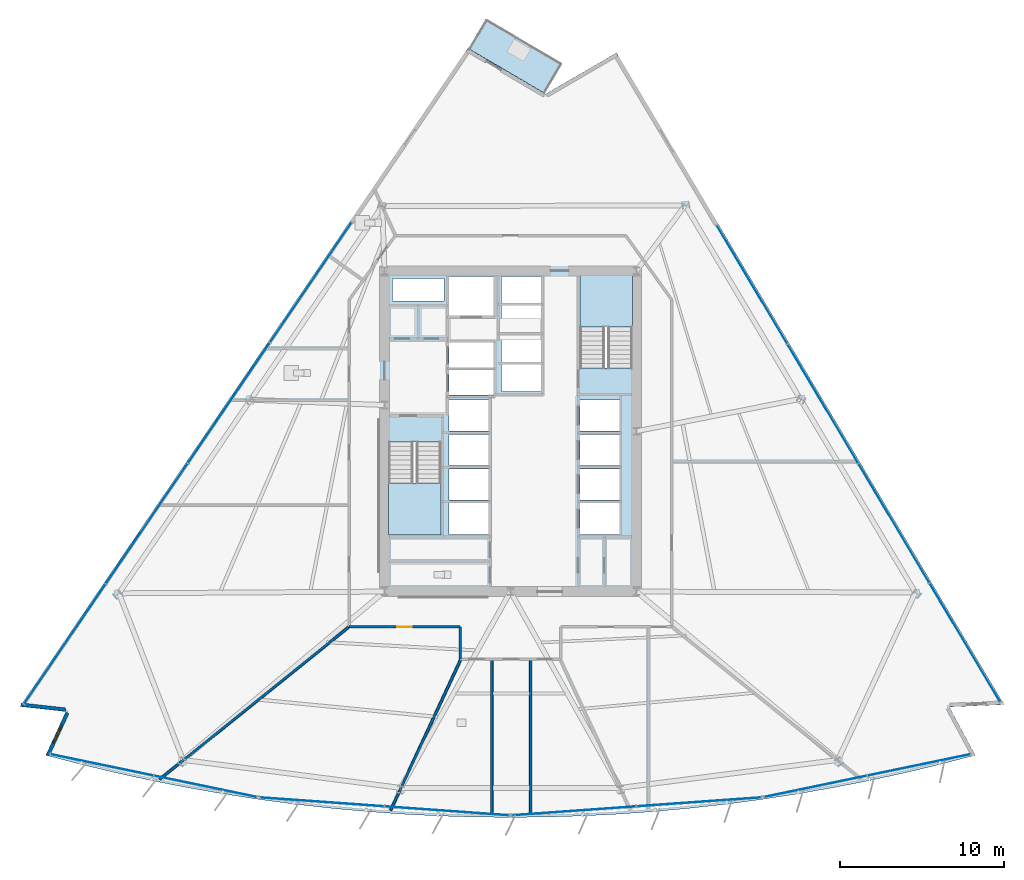
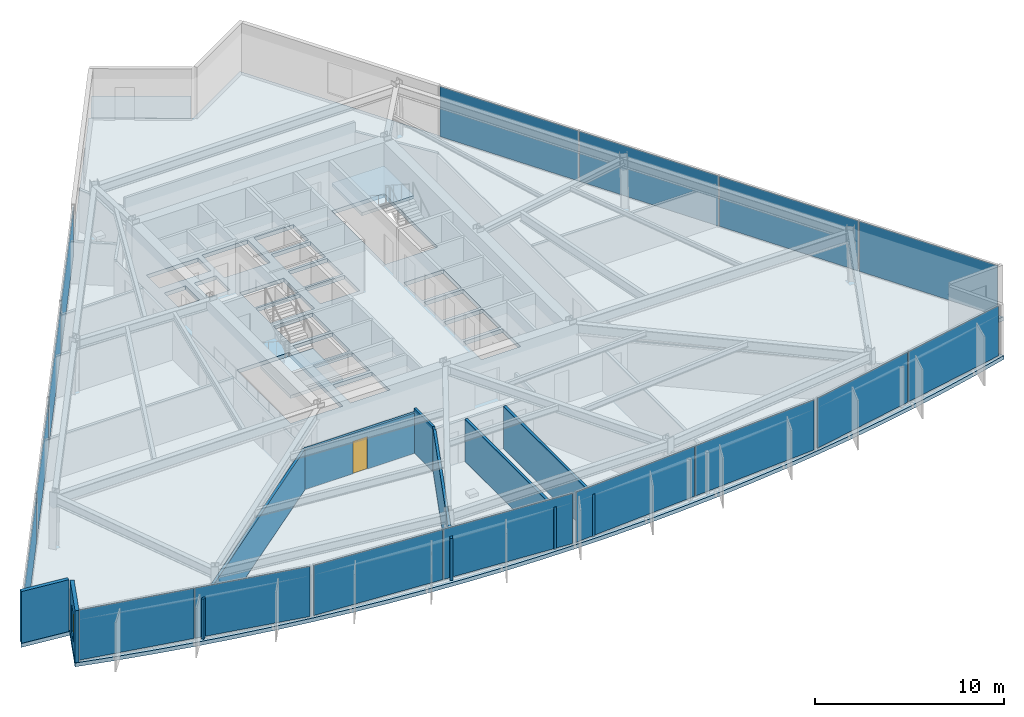
# One storey, part 8 of 18: 16 plates, 8 walls, 4 slabs, 1 door, 1 window, 2 openings, 8 elements without a shape of their own.
"""IFC4 building model written with IfcOpenShell, lengths in metres."""

import ifcopenshell
import ifcopenshell.guid

model = None  # the IFC model being written
_history = None  # IfcOwnerHistory: only IFC2X3 demands one
_inside = {}  # id of a spatial element -> (the spatial element, [elements in it])
_under = {}  # id of a project, library or spatial element -> (it, [spatial elements below it])
_declared = {}  # id of a project -> (the project, [libraries it declares])
_typed = {}  # id of a type object -> (the type object, [elements of that type])
_made_of = {}  # id of a material, layer set ... -> (it, [elements and type objects made of it])


def new_model(schema):
    """Start an empty IFC model of exactly this schema.

    Asked for "IFC4X3", IfcOpenShell would pick the latest addendum, in which some entities
    have other attributes; the version numbers below select the first issue.
    IFC2X3 requires an IfcOwnerHistory on every rooted entity: one is made here for all.
    """
    global model, _history
    if schema == "IFC4X3":
        model = ifcopenshell.file(schema_version=(4, 3, 0, 0))
    else:
        model = ifcopenshell.file(schema=schema)
    _inside.clear()
    _under.clear()
    _declared.clear()
    _typed.clear()
    _made_of.clear()
    _history = None
    if model.schema == "IFC2X3":
        org = make("IfcOrganization", Name="unknown")
        user = make(
            "IfcPersonAndOrganization",
            ThePerson=make("IfcPerson", FamilyName="unknown"),
            TheOrganization=org,
        )
        app = make(
            "IfcApplication",
            ApplicationDeveloper=org,
            Version="unknown",
            ApplicationFullName="unknown",
            ApplicationIdentifier="unknown",
        )
        _history = make(
            "IfcOwnerHistory",
            OwningUser=user,
            OwningApplication=app,
            ChangeAction="ADDED",
            CreationDate=0,
        )
    return model


def make(cls, **values):
    """One entity of the class cls with the attributes given. An attribute that is None is left unset."""
    return model.create_entity(
        cls, **{name: value for name, value in values.items() if value is not None}
    )


def rooted(cls, **values):
    """An entity with a GlobalId (a new one), such as an element, a storey or a relation."""
    return make(cls, GlobalId=ifcopenshell.guid.new(), OwnerHistory=_history, **values)


def si_unit(unit_type, name, prefix=None):
    """IfcSIUnit, for example si_unit("LENGTHUNIT", "METRE", prefix="MILLI")."""
    return make("IfcSIUnit", UnitType=unit_type, Prefix=prefix, Name=name)


def assignment(units):
    """IfcUnitAssignment: the units of a project."""
    return None if units is None else make("IfcUnitAssignment", Units=units)


def point(xyz):
    """IfcCartesianPoint."""
    return None if xyz is None else make("IfcCartesianPoint", Coordinates=xyz)


def direction(xyz):
    """IfcDirection."""
    return None if xyz is None else make("IfcDirection", DirectionRatios=xyz)


def frame(location, z_axis=None, x_axis=None):
    """IfcAxis2Placement3D, a coordinate frame: its origin and axes. An axis left out is left unset."""
    return make(
        "IfcAxis2Placement3D",
        Location=point(location),
        Axis=direction(z_axis),
        RefDirection=direction(x_axis),
    )


def frame_2d(location, x_axis=None):
    """IfcAxis2Placement2D, a coordinate frame in the plane: its origin and x axis."""
    return make(
        "IfcAxis2Placement2D", Location=point(location), RefDirection=direction(x_axis)
    )


def origin():
    """The frame at (0, 0, 0) with its axes left unset."""
    return frame((0.0, 0.0, 0.0))


def origin_2d():
    """The frame at (0, 0) in the plane with its x axis left unset."""
    return frame_2d((0.0, 0.0))


def place(relative_to, where):
    """IfcLocalPlacement: puts the frame where relative to a parent placement (None: the world)."""
    return make(
        "IfcLocalPlacement", PlacementRelTo=relative_to, RelativePlacement=where
    )


def context(
    kind, dimensions, precision=None, world=None, true_north=None, identifier=None
):
    """IfcGeometricRepresentationContext, for example the 3D "Model" context."""
    return make(
        "IfcGeometricRepresentationContext",
        ContextIdentifier=identifier,
        ContextType=kind,
        CoordinateSpaceDimension=dimensions,
        Precision=precision,
        WorldCoordinateSystem=world,
        TrueNorth=true_north,
    )


def subcontext(parent, identifier, kind, view, scale=None):
    """IfcGeometricRepresentationSubContext, for example "Body" below "Model"."""
    return make(
        "IfcGeometricRepresentationSubContext",
        ContextIdentifier=identifier,
        ContextType=kind,
        ParentContext=parent,
        TargetScale=scale,
        TargetView=view,
    )


def project(units=None, contexts=None):
    """IfcProject with its units and contexts."""
    return rooted(
        "IfcProject",
        Name="project",
        RepresentationContexts=contexts,
        UnitsInContext=assignment(units),
    )


def spatial(cls, under=None, at=None, **own):
    """A site, building, storey or space (cls), placed at a placement, below another one or the project."""
    s = rooted(cls, ObjectPlacement=at, **own)
    if under is not None:
        _under.setdefault(under.id(), (under, []))[1].append(s)
    return s


def polyline(points):
    """IfcPolyline through the points."""
    return make("IfcPolyline", Points=[point(p) for p in points])


def profile(cls, at=None, kind="AREA", **sizes):
    """A parametric profile (cls). Its sizes go by their IFC names, for example OverallWidth=200.0."""
    return make(cls, ProfileType=kind, Position=at, **sizes)


def rectangle(**sizes):
    """IfcRectangleProfileDef."""
    return profile("IfcRectangleProfileDef", **sizes)


def outline(outer, holes=None, kind="AREA"):
    """IfcArbitraryClosedProfileDef: a profile drawn as a closed curve; with holes, ...WithVoids."""
    if holes is None:
        return make("IfcArbitraryClosedProfileDef", ProfileType=kind, OuterCurve=outer)
    return make(
        "IfcArbitraryProfileDefWithVoids",
        ProfileType=kind,
        OuterCurve=outer,
        InnerCurves=holes,
    )


def extrude(swept, where, along, depth):
    """IfcExtrudedAreaSolid: the profile swept, set in the frame where, extruded along a direction by depth."""
    return make(
        "IfcExtrudedAreaSolid",
        SweptArea=swept,
        Position=where,
        ExtrudedDirection=direction(along),
        Depth=depth,
    )


def shape(context_of_items, identifier, shape_type, items):
    """IfcShapeRepresentation: the items that make up one representation, for example the "Body"."""
    return make(
        "IfcShapeRepresentation",
        ContextOfItems=context_of_items,
        RepresentationIdentifier=identifier,
        RepresentationType=shape_type,
        Items=items,
    )


def material(Name=None, Category=None):
    """IfcMaterial."""
    return make("IfcMaterial", Name=Name, Category=Category)


def layer(
    of_material, thickness, ventilated=None, Name=None, Category=None, Priority=None
):
    """IfcMaterialLayer: one layer of a wall or slab, of a material (None: an air gap)."""
    return make(
        "IfcMaterialLayer",
        Material=of_material,
        LayerThickness=thickness,
        IsVentilated=ventilated,
        Name=Name,
        Category=Category,
        Priority=Priority,
    )


def layer_set(layers, Name=None):
    """IfcMaterialLayerSet."""
    return make("IfcMaterialLayerSet", MaterialLayers=layers, LayerSetName=Name)


def made_of(thing, what):
    """Note that an element or type object is made of a material, layer set ...; save() writes the relation."""
    if what is not None:
        _made_of.setdefault(what.id(), (what, []))[1].append(thing)
    return thing


def type_object(cls, material=None, **own):
    """A type object (cls), such as IfcWallType, which elements share."""
    return made_of(rooted(cls, **own), material)


def element(
    cls,
    number,
    at=None,
    inside=None,
    cuts=None,
    type_object=None,
    material=None,
    context=None,
    identifier="Body",
    shape_type=None,
    held_by="IfcProductDefinitionShape",
    body=None,
    shapes=None,
    **own,
):
    """One element of the class cls, such as IfcWall. Its Tag is "e" and its number.

    at: its placement. inside: the storey or other place that contains it. cuts: it is an
    opening in that element (IfcRelVoidsElement). A single representation is given by context,
    identifier, shape_type and body (its items); several are given by shapes. held_by: the class
    of the entity that holds the representations. save() writes the other relations.
    """
    e = rooted(cls, Tag="e%d" % number, ObjectPlacement=at, **own)
    if body is not None:
        shapes = [shape(context, identifier, shape_type, body)]
    if shapes is not None:
        e.Representation = make(held_by, Representations=shapes)
    if inside is not None:
        _inside.setdefault(inside.id(), (inside, []))[1].append(e)
    if cuts is not None:
        rooted(
            "IfcRelVoidsElement", RelatingBuildingElement=cuts, RelatedOpeningElement=e
        )
    if type_object is not None:
        _typed.setdefault(type_object.id(), (type_object, []))[1].append(e)
    return made_of(e, material)


def fill(opening, filler):
    """IfcRelFillsElement: the door or window that sits in an opening."""
    return rooted(
        "IfcRelFillsElement",
        RelatingOpeningElement=opening,
        RelatedBuildingElement=filler,
    )


def aggregate(whole, parts):
    """IfcRelAggregates: a whole, such as a stair, and the parts it consists of."""
    return rooted("IfcRelAggregates", RelatingObject=whole, RelatedObjects=parts)


def save(model, path):
    """Write the relations noted so far, then the file.

    IfcRelAggregates (storeys below a building ...), IfcRelContainedInSpatialStructure (elements
    in a storey), IfcRelDefinesByType, IfcRelAssociatesMaterial and IfcRelDeclares: one each for
    every whole, place, type object, material and project.
    """
    for whole, parts in _under.values():
        aggregate(whole, parts)
    for where, things in _inside.values():
        rooted(
            "IfcRelContainedInSpatialStructure",
            RelatedElements=things,
            RelatingStructure=where,
        )
    for kind, things in _typed.values():
        rooted("IfcRelDefinesByType", RelatedObjects=things, RelatingType=kind)
    for what, things in _made_of.values():
        rooted("IfcRelAssociatesMaterial", RelatedObjects=things, RelatingMaterial=what)
    for by, libraries in _declared.values():
        rooted("IfcRelDeclares", RelatingContext=by, RelatedDefinitions=libraries)
    model.write(path)


model = new_model("IFC4")

# Units and contexts
model_context = context("Model", 3, precision=1e-05, world=origin(), true_north=direction((0.0, 1.0)))
body_context = subcontext(model_context, "Body", "Model", "MODEL_VIEW")
ifc_project = project(units=[si_unit("LENGTHUNIT", "METRE"), si_unit("AREAUNIT", "SQUARE_METRE"), si_unit("VOLUMEUNIT", "CUBIC_METRE"), si_unit("PLANEANGLEUNIT", "RADIAN"), si_unit("MASSUNIT", "GRAM", prefix="KILO")], contexts=[model_context])

# Site, building, storey
site_placement = place(None, origin())
site = spatial("IfcSite", under=ifc_project, at=site_placement, CompositionType="ELEMENT")
building_placement = place(site_placement, origin())
building = spatial("IfcBuilding", under=site, at=building_placement, Name="Savorim Split Tower", CompositionType="ELEMENT")
storey_placement = place(building_placement, frame((0.0, 0.0, 40.800048828125)))
storey = spatial("IfcBuildingStorey", under=building, at=storey_placement, Name="L10", CompositionType="ELEMENT", Elevation=40.800048828125)

# Curtain wall, plates
ifc_material_1 = material(Name="Dark Ceramic-Fritted Insulated Glass", Category="glass")
curtain_wall_type = type_object("IfcCurtainWallType", Name="CW-TWR-FRIT-A", PredefinedType="NOTDEFINED", material=ifc_material_1)
curtain_wall_1_placement = place(storey_placement, origin())
curtain_wall_1 = element("IfcCurtainWall", 1, at=curtain_wall_1_placement, inside=storey, type_object=curtain_wall_type, Name="L10 Curtain Wall CW-L10-SF1", PredefinedType="NOTDEFINED")
ifc_layer_1 = layer(ifc_material_1, 0.028076171875)
ifc_layer_set_1 = layer_set([ifc_layer_1], Name="CWP-FRITA-28")
plate_type = type_object("IfcPlateType", Name="CWP-FRITA-28", PredefinedType="CURTAIN_PANEL", material=ifc_layer_set_1)
plate_1_placement = place(storey_placement, frame((-24.96826171875, -19.98974609375, 0.05517578125), z_axis=(0.0, 0.0, 1.0), x_axis=(0.979135110549, -0.203210322793, 0.0)))
plate_1 = element("IfcPlate", 2, at=plate_1_placement, type_object=plate_type, Name="CW-02 panel 1.1", PredefinedType="CURTAIN_PANEL", context=body_context, shape_type="SweptSolid", body=[
    extrude(rectangle(XDim=6.39013671875, YDim=0.028076171875, at=origin_2d()), origin(), (0.0, 0.0, 1.0), 3.239990234375),
])
plate_2_placement = place(storey_placement, frame((-18.647705078125, -21.301513671875, 0.05517578125), z_axis=(0.0, 0.0, 1.0), x_axis=(0.979135110549, -0.203210322793, 0.0)))
plate_2 = element("IfcPlate", 3, at=plate_2_placement, type_object=plate_type, Name="CW-02 panel 2.1", PredefinedType="CURTAIN_PANEL", context=body_context, shape_type="SweptSolid", body=[
    extrude(rectangle(XDim=6.39013671875, YDim=0.028076171875, at=origin_2d()), origin(), (0.0, 0.0, 1.0), 3.239990234375),
])
aggregate(curtain_wall_1, [plate_1, plate_2])

curtain_wall_2_placement = place(storey_placement, origin())
curtain_wall_2 = element("IfcCurtainWall", 4, at=curtain_wall_2_placement, inside=storey, type_object=curtain_wall_type, Name="L10 Curtain Wall CW-L10-SF2", PredefinedType="NOTDEFINED")
plate_3_placement = place(storey_placement, frame((-11.51123046875, -22.25390625, 0.05517578125), z_axis=(0.0, 0.0, 1.0), x_axis=(0.997436282589, -0.071560199658, 0.0)))
plate_3 = element("IfcPlate", 5, at=plate_3_placement, type_object=plate_type, Name="CW-02 panel 1.1", PredefinedType="CURTAIN_PANEL", context=body_context, shape_type="SweptSolid", body=[
    extrude(rectangle(XDim=7.572998046875, YDim=0.028076171875, at=origin_2d()), origin(), (0.0, 0.0, 1.0), 3.239990234375),
])
plate_4_placement = place(storey_placement, frame((-3.892822265625, -22.80029296875, 0.05517578125), z_axis=(0.0, 0.0, 1.0), x_axis=(0.997436282589, -0.071560199658, 0.0)))
plate_4 = element("IfcPlate", 6, at=plate_4_placement, type_object=plate_type, Name="CW-02 panel 2.1", PredefinedType="CURTAIN_PANEL", context=body_context, shape_type="SweptSolid", body=[
    extrude(rectangle(XDim=7.572998046875, YDim=0.028076171875, at=origin_2d()), origin(), (0.0, 0.0, 1.0), 3.239990234375),
])
aggregate(curtain_wall_2, [plate_3, plate_4])

curtain_wall_3_placement = place(storey_placement, origin())
curtain_wall_3 = element("IfcCurtainWall", 7, at=curtain_wall_3_placement, inside=storey, type_object=curtain_wall_type, Name="L10 Curtain Wall CW-L10-SF3", PredefinedType="NOTDEFINED")
plate_5_placement = place(storey_placement, frame((3.892822265625, -22.80029296875, 0.05517578125), z_axis=(0.0, 0.0, 1.0), x_axis=(0.997436282589, 0.071560199658, 0.0)))
plate_5 = element("IfcPlate", 8, at=plate_5_placement, type_object=plate_type, Name="CW-02 panel 1.1", PredefinedType="CURTAIN_PANEL", context=body_context, shape_type="SweptSolid", body=[
    extrude(rectangle(XDim=7.572998046875, YDim=0.028076171875, at=origin_2d()), origin(), (0.0, 0.0, 1.0), 3.239990234375),
])
plate_6_placement = place(storey_placement, frame((11.51123046875, -22.25390625, 0.05517578125), z_axis=(0.0, 0.0, 1.0), x_axis=(0.997436282589, 0.071560199658, 0.0)))
plate_6 = element("IfcPlate", 9, at=plate_6_placement, type_object=plate_type, Name="CW-02 panel 2.1", PredefinedType="CURTAIN_PANEL", context=body_context, shape_type="SweptSolid", body=[
    extrude(rectangle(XDim=7.572998046875, YDim=0.028076171875, at=origin_2d()), origin(), (0.0, 0.0, 1.0), 3.239990234375),
])
aggregate(curtain_wall_3, [plate_5, plate_6])

curtain_wall_4_placement = place(storey_placement, origin())
curtain_wall_4 = element("IfcCurtainWall", 10, at=curtain_wall_4_placement, inside=storey, type_object=curtain_wall_type, Name="L10 Curtain Wall CW-L10-SF4", PredefinedType="NOTDEFINED")
plate_7_placement = place(storey_placement, frame((18.647705078125, -21.301513671875, 0.05517578125), z_axis=(0.0, 0.0, 1.0), x_axis=(0.979135110549, 0.203210322793, 0.0)))
plate_7 = element("IfcPlate", 11, at=plate_7_placement, type_object=plate_type, Name="CW-02 panel 1.1", PredefinedType="CURTAIN_PANEL", context=body_context, shape_type="SweptSolid", body=[
    extrude(rectangle(XDim=6.39013671875, YDim=0.028076171875, at=origin_2d()), origin(), (0.0, 0.0, 1.0), 3.239990234375),
])
plate_8_placement = place(storey_placement, frame((24.96826171875, -19.98974609375, 0.05517578125), z_axis=(0.0, 0.0, 1.0), x_axis=(0.979135110549, 0.203210322793, 0.0)))
plate_8 = element("IfcPlate", 12, at=plate_8_placement, type_object=plate_type, Name="CW-02 panel 2.1", PredefinedType="CURTAIN_PANEL", context=body_context, shape_type="SweptSolid", body=[
    extrude(rectangle(XDim=6.39013671875, YDim=0.028076171875, at=origin_2d()), origin(), (0.0, 0.0, 1.0), 3.239990234375),
])
aggregate(curtain_wall_4, [plate_7, plate_8])

curtain_wall_5_placement = place(storey_placement, origin())
curtain_wall_5 = element("IfcCurtainWall", 13, at=curtain_wall_5_placement, inside=storey, type_object=curtain_wall_type, Name="L10 Curtain Wall CW-L10-EAST", PredefinedType="NOTDEFINED")
plate_9_placement = place(storey_placement, frame((27.76611328125, -12.51416015625, 0.05517578125), z_axis=(0.0, 0.0, 1.0), x_axis=(-0.511092439425, 0.859525752007, 0.0)))
plate_9 = element("IfcPlate", 14, at=plate_9_placement, type_object=plate_type, Name="CW-02 panel 1.1", PredefinedType="CURTAIN_PANEL", context=body_context, shape_type="SweptSolid", body=[
    extrude(rectangle(XDim=8.394775390625, YDim=0.028076171875, at=origin_2d()), origin(), (0.0, 0.0, 1.0), 3.239990234375),
])
plate_10_placement = place(storey_placement, frame((23.43408203125, -5.228759765625, 0.05517578125), z_axis=(0.0, 0.0, 1.0), x_axis=(-0.511092439425, 0.859525752007, 0.0)))
plate_10 = element("IfcPlate", 15, at=plate_10_placement, type_object=plate_type, Name="CW-02 panel 2.1", PredefinedType="CURTAIN_PANEL", context=body_context, shape_type="SweptSolid", body=[
    extrude(rectangle(XDim=8.42724609375, YDim=0.028076171875, at=origin_2d()), origin(), (0.0, 0.0, 1.0), 3.239990234375),
])
plate_11_placement = place(storey_placement, frame((19.093505859375, 2.070556640625, 0.05517578125), z_axis=(0.0, 0.0, 1.0), x_axis=(-0.511092439425, 0.859525752007, 0.0)))
plate_11 = element("IfcPlate", 16, at=plate_11_placement, type_object=plate_type, Name="CW-02 panel 3.1", PredefinedType="CURTAIN_PANEL", context=body_context, shape_type="SweptSolid", body=[
    extrude(rectangle(XDim=8.42724609375, YDim=0.028076171875, at=origin_2d()), origin(), (0.0, 0.0, 1.0), 3.239990234375),
])
plate_12_placement = place(storey_placement, frame((14.761474609375, 9.35595703125, 0.05517578125), z_axis=(0.0, 0.0, 1.0), x_axis=(-0.511092439425, 0.859525752007, 0.0)))
plate_12 = element("IfcPlate", 17, at=plate_12_placement, type_object=plate_type, Name="CW-02 panel 4.1", PredefinedType="CURTAIN_PANEL", context=body_context, shape_type="SweptSolid", body=[
    extrude(rectangle(XDim=8.394775390625, YDim=0.028076171875, at=origin_2d()), origin(), (0.0, 0.0, 1.0), 3.239990234375),
])
aggregate(curtain_wall_5, [plate_9, plate_10, plate_11, plate_12])

curtain_wall_6_placement = place(storey_placement, origin())
curtain_wall_6 = element("IfcCurtainWall", 18, at=curtain_wall_6_placement, inside=storey, type_object=curtain_wall_type, Name="L10 Curtain Wall CW-L10-WEST", PredefinedType="NOTDEFINED")
plate_13_placement = place(storey_placement, frame((-12.20166015625, 9.489990234375, 0.05517578125), z_axis=(0.0, 0.0, 1.0), x_axis=(-0.562465253164, -0.826820923165, 0.0)))
plate_13 = element("IfcPlate", 19, at=plate_13_placement, type_object=plate_type, Name="CW-02 panel 1.1", PredefinedType="CURTAIN_PANEL", context=body_context, shape_type="SweptSolid", body=[
    extrude(rectangle(XDim=8.822265625, YDim=0.028076171875, at=origin_2d()), origin(), (0.0, 0.0, 1.0), 3.239990234375),
])
plate_14_placement = place(storey_placement, frame((-17.20947265625, 2.12841796875, 0.05517578125), z_axis=(0.0, 0.0, 1.0), x_axis=(-0.562465253164, -0.826820923165, 0.0)))
plate_14 = element("IfcPlate", 20, at=plate_14_placement, type_object=plate_type, Name="CW-02 panel 2.1", PredefinedType="CURTAIN_PANEL", context=body_context, shape_type="SweptSolid", body=[
    extrude(rectangle(XDim=8.854736328125, YDim=0.028076171875, at=origin_2d()), origin(), (0.0, 0.0, 1.0), 3.239990234375),
])
plate_15_placement = place(storey_placement, frame((-22.2265625, -5.24658203125, 0.05517578125), z_axis=(0.0, 0.0, 1.0), x_axis=(-0.562465253164, -0.826820923165, 0.0)))
plate_15 = element("IfcPlate", 21, at=plate_15_placement, type_object=plate_type, Name="CW-02 panel 3.1", PredefinedType="CURTAIN_PANEL", context=body_context, shape_type="SweptSolid", body=[
    extrude(rectangle(XDim=8.854736328125, YDim=0.028076171875, at=origin_2d()), origin(), (0.0, 0.0, 1.0), 3.239990234375),
])
plate_16_placement = place(storey_placement, frame((-27.234375, -12.608154296875, 0.05517578125), z_axis=(0.0, 0.0, 1.0), x_axis=(-0.562465253164, -0.826820923165, 0.0)))
plate_16 = element("IfcPlate", 22, at=plate_16_placement, type_object=plate_type, Name="CW-02 panel 4.1", PredefinedType="CURTAIN_PANEL", context=body_context, shape_type="SweptSolid", body=[
    extrude(rectangle(XDim=8.822265625, YDim=0.028076171875, at=origin_2d()), origin(), (0.0, 0.0, 1.0), 3.239990234375),
])
aggregate(curtain_wall_6, [plate_13, plate_14, plate_15, plate_16])

# Slab
ifc_material_2 = material(Name="Concrete C50/60", Category="concrete")
ifc_layer_2 = layer(ifc_material_2, 0.219970703125)
ifc_layer_set_2 = layer_set([ifc_layer_2], Name="SLB-BAL-220")
slab_type_1 = type_object("IfcSlabType", Name="SLB-BAL-220", PredefinedType="FLOOR", material=ifc_layer_set_2)
slab_1_placement = place(storey_placement, frame((0.0, 0.0, -0.219970703125)))
element("IfcSlab", 23, at=slab_1_placement, inside=storey, type_object=slab_type_1, Name="L10 Notched Corner Planted Tree Balcony Slab", PredefinedType="FLOOR", context=body_context, shape_type="SweptSolid", body=[
    extrude(outline(polyline([(-2.50244140625, 23.74853515625), (2.049072265625, 21.073486328125), (3.085205078125, 22.836669921875), (-1.46630859375, 25.51171875), (-2.50244140625, 23.74853515625)])), origin(), (0.0, 0.0, 1.0), 0.219970703125),
])

# Stair, slab
stair_type = type_object("IfcStairType", Name="STR-DOG-3600", PredefinedType="HALF_TURN_STAIR", material=ifc_material_2)
stair_1_placement = place(storey_placement, origin())
stair_1 = element("IfcStair", 24, at=stair_1_placement, inside=storey, type_object=stair_type, Name="L10 Core Protected Exit Stair ST-1", PredefinedType="HALF_TURN_STAIR")
ifc_layer_3 = layer(ifc_material_2, 0.199951171875)
ifc_layer_set_3 = layer_set([ifc_layer_3], Name="SLB-LND-200")
slab_type_2 = type_object("IfcSlabType", Name="SLB-LND-200", PredefinedType="LANDING", material=ifc_layer_set_3)
slab_2_placement = place(storey_placement, frame((0.0, 0.0, 1.599853515625)))
slab_2 = element("IfcSlab", 25, at=slab_2_placement, type_object=slab_type_2, Name="ST-1 landing 1", PredefinedType="LANDING", context=body_context, shape_type="SweptSolid", body=[
    extrude(outline(polyline([(-7.449951171875, -2.77001953125), (-7.449951171875, -5.949951171875), (-4.25, -5.949951171875), (-4.25, -2.77001953125), (-7.449951171875, -2.77001953125)])), origin(), (0.0, 0.0, 1.0), 0.2001953125),
])
aggregate(stair_1, [slab_2])

stair_2_placement = place(storey_placement, origin())
stair_2 = element("IfcStair", 26, at=stair_2_placement, inside=storey, type_object=stair_type, Name="L10 Core Protected Exit Stair ST-2", PredefinedType="HALF_TURN_STAIR")
slab_3_placement = place(storey_placement, frame((0.0, 0.0, 1.599853515625)))
slab_3 = element("IfcSlab", 27, at=slab_3_placement, type_object=slab_type_2, Name="ST-2 landing 1", PredefinedType="LANDING", context=body_context, shape_type="SweptSolid", body=[
    extrude(outline(polyline([(7.449951171875, 6.77001953125), (7.449951171875, 9.949951171875), (4.25, 9.949951171875), (4.25, 6.77001953125), (7.449951171875, 6.77001953125)])), origin(), (0.0, 0.0, 1.0), 0.2001953125),
])
aggregate(stair_2, [slab_3])

# Slab
ifc_layer_4 = layer(ifc_material_2, 0.25)
ifc_layer_set_4 = layer_set([ifc_layer_4], Name="SLB-TWR-250")
slab_type_3 = type_object("IfcSlabType", Name="SLB-TWR-250", PredefinedType="FLOOR", material=ifc_layer_set_4)
slab_4_placement = place(storey_placement, frame((0.0, 0.0, -0.25)))
element("IfcSlab", 28, at=slab_4_placement, inside=storey, type_object=slab_type_3, Name="L10 Structural Floor Slab", PredefinedType="FLOOR", context=body_context, shape_type="SweptSolid", body=[
    extrude(outline(polyline([(-28.39990234375, -19.39990234375), (-26.261474609375, -19.959228515625), (-24.11181640625, -20.474609375), (-21.951904296875, -20.946044921875), (-19.783203125, -21.373046875), (-17.60595703125, -21.755615234375), (-15.42138671875, -22.093505859375), (-13.230224609375, -22.38671875), (-11.03369140625, -22.635009765625), (-8.83251953125, -22.83837890625), (-6.627685546875, -22.99658203125), (-4.419921875, -23.109619140625), (-2.21044921875, -23.177490234375), (0.0, -23.199951171875), (2.21044921875, -23.177490234375), (4.419921875, -23.109619140625), (6.627685546875, -22.99658203125), (8.83251953125, -22.83837890625), (11.03369140625, -22.635009765625), (13.230224609375, -22.38671875), (15.42138671875, -22.093505859375), (17.60595703125, -21.755615234375), (19.783203125, -21.373046875), (21.951904296875, -20.946044921875), (24.11181640625, -20.474609375), (26.261474609375, -19.959228515625), (28.39990234375, -19.39990234375), (26.81591796875, -16.447998046875), (30.16015625, -16.3056640625), (6.473876953125, 23.5283203125), (2.14990234375, 21.00830078125), (-2.6083984375, 23.80517578125), (-29.97509765625, -16.423583984375), (-27.176025390625, -16.736083984375), (-28.39990234375, -19.39990234375)]), holes=[polyline([(-7.449951171875, -0.25390625), (-7.449951171875, -5.949951171875), (-4.25, -5.949951171875), (-4.25, -0.25390625), (-7.449951171875, -0.25390625)]), polyline([(7.449951171875, 4.25390625), (7.449951171875, 9.949951171875), (4.25, 9.949951171875), (4.25, 4.25390625), (7.449951171875, 4.25390625)]), polyline([(4.25, -5.89990234375), (6.64990234375, -5.89990234375), (6.64990234375, -4.0), (4.25, -4.0), (4.25, -5.89990234375)]), polyline([(4.25, -3.800048828125), (6.64990234375, -3.800048828125), (6.64990234375, -1.89990234375), (4.25, -1.89990234375), (4.25, -3.800048828125)]), polyline([(4.25, -1.699951171875), (6.64990234375, -1.699951171875), (6.64990234375, 0.199951171875), (4.25, 0.199951171875), (4.25, -1.699951171875)]), polyline([(4.25, 0.39990234375), (6.64990234375, 0.39990234375), (6.64990234375, 2.300048828125), (4.25, 2.300048828125), (4.25, 0.39990234375)]), polyline([(-3.75, -5.89990234375), (-1.35009765625, -5.89990234375), (-1.35009765625, -4.0), (-3.75, -4.0), (-3.75, -5.89990234375)]), polyline([(-3.75, -3.800048828125), (-1.35009765625, -3.800048828125), (-1.35009765625, -1.89990234375), (-3.75, -1.89990234375), (-3.75, -3.800048828125)]), polyline([(-3.75, -1.699951171875), (-1.35009765625, -1.699951171875), (-1.35009765625, 0.199951171875), (-3.75, 0.199951171875), (-3.75, -1.699951171875)]), polyline([(-3.75, 0.39990234375), (-1.35009765625, 0.39990234375), (-1.35009765625, 2.300048828125), (-3.75, 2.300048828125), (-3.75, 0.39990234375)]), polyline([(-0.550048828125, 2.830078125), (1.85009765625, 2.830078125), (1.85009765625, 4.469970703125), (-0.550048828125, 4.469970703125), (-0.550048828125, 2.830078125)]), polyline([(-0.550048828125, 4.6298828125), (1.85009765625, 4.6298828125), (1.85009765625, 6.27001953125), (-0.550048828125, 6.27001953125), (-0.550048828125, 4.6298828125)]), polyline([(-0.550048828125, 6.429931640625), (1.85009765625, 6.429931640625), (1.85009765625, 8.070068359375), (-0.550048828125, 8.070068359375), (-0.550048828125, 6.429931640625)]), polyline([(-0.550048828125, 8.22998046875), (1.85009765625, 8.22998046875), (1.85009765625, 9.8701171875), (-0.550048828125, 9.8701171875), (-0.550048828125, 8.22998046875)]), polyline([(-3.75, 2.60009765625), (-1.050048828125, 2.60009765625), (-1.050048828125, 4.159912109375), (-3.75, 4.159912109375), (-3.75, 2.60009765625)]), polyline([(-3.75, 4.280029296875), (-1.050048828125, 4.280029296875), (-1.050048828125, 5.840087890625), (-3.75, 5.840087890625), (-3.75, 4.280029296875)]), polyline([(-3.75, 7.449951171875), (-0.949951171875, 7.449951171875), (-0.949951171875, 9.85009765625), (-3.75, 9.85009765625), (-3.75, 7.449951171875)]), polyline([(-7.219970703125, 6.320068359375), (-5.919921875, 6.320068359375), (-5.919921875, 7.820068359375), (-7.219970703125, 7.820068359375), (-7.219970703125, 6.320068359375)]), polyline([(-5.3798828125, 6.320068359375), (-4.050048828125, 6.320068359375), (-4.050048828125, 7.820068359375), (-5.3798828125, 7.820068359375), (-5.3798828125, 6.320068359375)]), polyline([(-7.219970703125, 8.360107421875), (-4.050048828125, 8.360107421875), (-4.050048828125, 9.719970703125), (-7.219970703125, 9.719970703125), (-7.219970703125, 8.360107421875)])]), origin(), (0.0, 0.0, 1.0), 0.25),
])

# Wall
ifc_material_3 = material(Name="Precast concrete C40/50", Category="concrete")
ifc_layer_5 = layer(ifc_material_3, 0.219970703125)
ifc_layer_set_5 = layer_set([ifc_layer_5], Name="WAL-EXT-CRN220")
wall_type_1 = type_object("IfcWallType", Name="WAL-EXT-CRN220", PredefinedType="SOLIDWALL", material=ifc_layer_set_5)
wall_1_placement = place(storey_placement, frame((-27.202392578125, -16.6123046875, 0.0), z_axis=(0.0, 0.0, 1.0), x_axis=(-0.993822658088, 0.110979837223, 0.0)))
element("IfcWall", 29, at=wall_1_placement, inside=storey, type_object=wall_type_1, Name="L10 Notched Corner Facade Wall SW1", PredefinedType="SOLIDWALL", context=body_context, shape_type="SweptSolid", body=[
    extrude(rectangle(XDim=2.736572265625, YDim=0.219970703125, at=frame_2d((1.3681640625, 0.0))), origin(), (0.0, 0.0, 1.0), 3.349853515625),
])

# Wall, opening, window
wall_2_placement = place(storey_placement, frame((-28.2744140625, -19.413818359375, 0.0), z_axis=(0.0, 0.0, 1.0), x_axis=(0.417521186742, 0.908667188041, 0.0)))
wall_2 = element("IfcWall", 30, at=wall_2_placement, inside=storey, type_object=wall_type_1, Name="L10 Notched Corner Facade Wall SW", PredefinedType="SOLIDWALL", context=body_context, shape_type="SweptSolid", body=[
    extrude(rectangle(XDim=2.851806640625, YDim=0.219970703125, at=frame_2d((1.42578125, 0.0))), origin(), (0.0, 0.0, 1.0), 3.349853515625),
])
opening_1_placement = place(wall_2_placement, frame((0.825927734375, 0.0, 0.6201171875)))
opening_1 = element("IfcOpeningElement", 31, at=opening_1_placement, cuts=wall_2, Name="Opening WN-08", PredefinedType="OPENING", context=body_context, shape_type="SweptSolid", body=[
    extrude(rectangle(XDim=1.199951171875, YDim=1.800048828125, at=frame_2d((0.60009765625, 0.89990234375))), frame((0.0, 0.119873046875, 0.0), z_axis=(0.0, -1.0, 0.0), x_axis=(1.0, 0.0, 0.0)), (0.0, 0.0, 1.0), 0.239990234375),
])
ifc_material_4 = material(Name="Low-E Operable Double Glazing", Category="glass")
window_type = type_object("IfcWindowType", Name="WIN-TWR-1200x1800", PartitioningType="SINGLE_PANEL", PredefinedType="WINDOW", material=ifc_material_4)
window_placement = place(opening_1_placement, origin())
window = element("IfcWindow", 32, at=window_placement, inside=storey, type_object=window_type, Name="L10 Operable Corner Window SW", OverallHeight=1.800048828125, OverallWidth=1.199951171875, PartitioningType="SINGLE_PANEL", PredefinedType="WINDOW", context=body_context, shape_type="SweptSolid", body=[
    extrude(rectangle(XDim=1.199951171875, YDim=1.800048828125, at=frame_2d((0.60009765625, 0.89990234375))), frame((0.0, 0.030029296875, 0.0), z_axis=(0.0, -1.0, 0.0), x_axis=(1.0, 0.0, 0.0)), (0.0, 0.0, 1.0), 0.06005859375),
])
fill(opening_1, window)

# Wall
ifc_material_5 = material(Name="Acoustic Gypsum Partition Board")
ifc_layer_6 = layer(ifc_material_5, 0.14990234375)
ifc_layer_set_6 = layer_set([ifc_layer_6], Name="WAL-PAR-150")
wall_type_2 = type_object("IfcWallType", Name="WAL-PAR-150", PredefinedType="PARTITIONING", material=ifc_layer_set_6)
wall_3_placement = place(storey_placement, frame((-3.080078125, -13.530029296875, 0.0), z_axis=(0.0, 0.0, 1.0), x_axis=(0.0, 1.0, 0.0)))
element("IfcWall", 33, at=wall_3_placement, inside=storey, type_object=wall_type_2, Name="L10 Partition W-L10-COR-09", PredefinedType="PARTITIONING", context=body_context, shape_type="SweptSolid", body=[
    extrude(rectangle(XDim=1.969970703125, YDim=0.14990234375, at=frame_2d((0.98486328125, 0.0))), origin(), (0.0, 0.0, 1.0), 2.875),
])

# Wall, opening, door
wall_4_placement = place(storey_placement, frame((-3.080078125, -11.56005859375, 0.0), z_axis=(0.0, 0.0, 1.0), x_axis=(-1.0, 0.0, 0.0)))
wall_4 = element("IfcWall", 34, at=wall_4_placement, inside=storey, type_object=wall_type_2, Name="L10 Partition W-L10-COR-10", PredefinedType="PARTITIONING", context=body_context, shape_type="SweptSolid", body=[
    extrude(rectangle(XDim=6.780029296875, YDim=0.14990234375, at=frame_2d((3.39013671875, 0.0))), origin(), (0.0, 0.0, 1.0), 2.60888671875),
])
opening_2_placement = place(wall_4_placement, frame((2.93994140625, 0.0, 0.0)))
opening_2 = element("IfcOpeningElement", 35, at=opening_2_placement, cuts=wall_4, Name="Opening DI-06", PredefinedType="OPENING", context=body_context, shape_type="SweptSolid", body=[
    extrude(rectangle(XDim=0.89990234375, YDim=2.10009765625, at=frame_2d((0.449951171875, 1.050048828125))), frame((0.0, 0.0849609375, 0.0), z_axis=(0.0, -1.0, 0.0), x_axis=(1.0, 0.0, 0.0)), (0.0, 0.0, 1.0), 0.169921875),
])
ifc_material_6 = material(Name="Timber Fire Door Leaf", Category="wood")
door_type = type_object("IfcDoorType", Name="DOR-FIR-900", OperationType="NOTDEFINED", PredefinedType="DOOR", material=ifc_material_6)
door_placement = place(opening_2_placement, origin())
door = element("IfcDoor", 36, at=door_placement, inside=storey, type_object=door_type, Name="DR-L10-RM03 - L10 Co-Working Commons Entry Door", OperationType="SINGLE_SWING_RIGHT", OverallHeight=2.10009765625, OverallWidth=0.89990234375, PredefinedType="DOOR", context=body_context, shape_type="SweptSolid", body=[
    extrude(rectangle(XDim=0.89990234375, YDim=2.10009765625, at=frame_2d((0.449951171875, 1.050048828125))), frame((0.0, 0.02490234375, 0.0), z_axis=(0.0, -1.0, 0.0), x_axis=(1.0, 0.0, 0.0)), (0.0, 0.0, 1.0), 0.050048828125),
])
fill(opening_2, door)

# Walls
wall_5_placement = place(storey_placement, frame((-9.88818359375, -11.568603515625, 0.0), z_axis=(0.0, 0.0, 1.0), x_axis=(-0.778962871417, -0.627070047884, 0.0)))
element("IfcWall", 37, at=wall_5_placement, inside=storey, type_object=wall_type_2, Name="L10 Partition W-L10-PRAD01", PredefinedType="PARTITIONING", context=body_context, shape_type="SweptSolid", body=[
    extrude(rectangle(XDim=14.837158203125, YDim=0.14990234375, at=frame_2d((7.41845703125, 0.0))), origin(), (0.0, 0.0, 1.0), 2.60888671875),
])
wall_6_placement = place(storey_placement, frame((-3.053466796875, -13.5791015625, 0.0), z_axis=(0.0, 0.0, 1.0), x_axis=(-0.42179011739, -0.906693496653, 0.0)))
element("IfcWall", 38, at=wall_6_placement, inside=storey, type_object=wall_type_2, Name="L10 Partition W-L10-PRAD02", PredefinedType="PARTITIONING", context=body_context, shape_type="SweptSolid", body=[
    extrude(rectangle(XDim=10.142578125, YDim=0.14990234375, at=frame_2d((5.0712890625, 0.0))), origin(), (0.0, 0.0, 1.0), 2.724853515625),
])
wall_7_placement = place(storey_placement, frame((-1.137451171875, -13.590087890625, 0.0), z_axis=(0.0, 0.0, 1.0), x_axis=(0.0, -1.0, 0.0)))
element("IfcWall", 39, at=wall_7_placement, inside=storey, type_object=wall_type_2, Name="L10 Partition W-L10-SUB01", PredefinedType="PARTITIONING", context=body_context, shape_type="SweptSolid", body=[
    extrude(rectangle(XDim=9.42822265625, YDim=0.14990234375, at=frame_2d((4.714111328125, 0.0))), origin(), (0.0, 0.0, 1.0), 2.73486328125),
])
wall_8_placement = place(storey_placement, frame((1.226318359375, -13.590087890625, 0.0), z_axis=(0.0, 0.0, 1.0), x_axis=(0.0, -1.0, 0.0)))
element("IfcWall", 40, at=wall_8_placement, inside=storey, type_object=wall_type_2, Name="L10 Partition W-L10-SUB04", PredefinedType="PARTITIONING", context=body_context, shape_type="SweptSolid", body=[
    extrude(rectangle(XDim=9.427490234375, YDim=0.14990234375, at=frame_2d((4.7138671875, 0.0))), origin(), (0.0, 0.0, 1.0), 2.73486328125),
])

save(model, "model.ifc")
